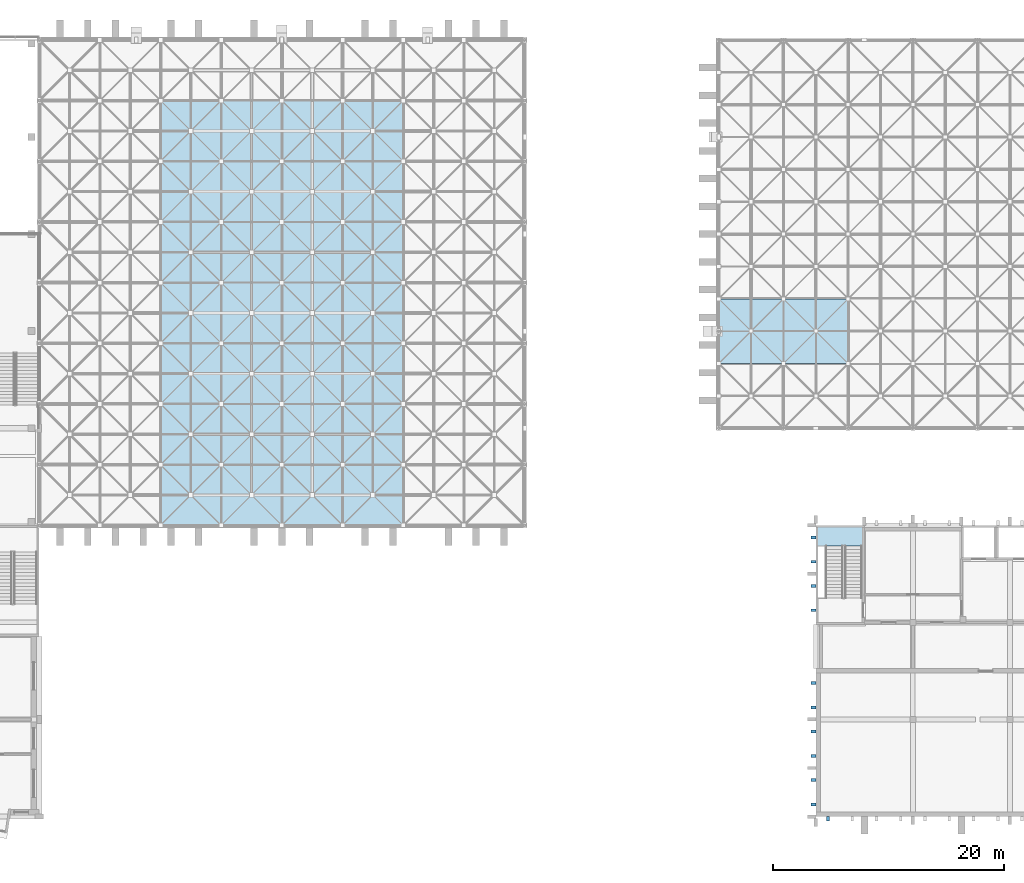
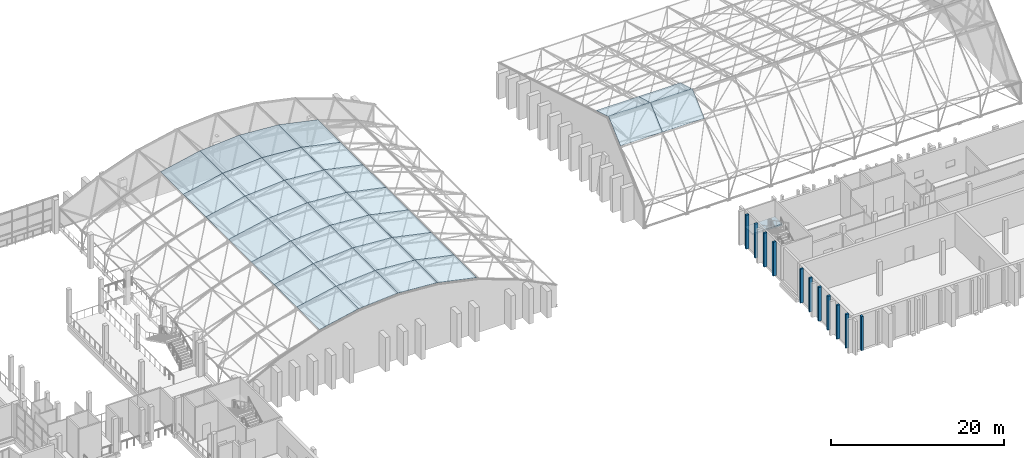
# One storey, part 53 of 100: 43 plates, 1 slab, 1 element without a shape of its own.
"""IFC4 building model written with IfcOpenShell, lengths in metres."""

from ifc_helpers import new_model, si_unit, direction, frame, origin, origin_2d, place, context, subcontext, project, spatial, polyline, rectangle, outline, extrude, material, layer, layer_set, type_object, element, aggregate, save


model = new_model("IFC4")

# Units and contexts
model_context = context("Model", 3, precision=1e-05, world=origin(), true_north=direction((0.0, 1.0)))
body_context = subcontext(model_context, "Body", "Model", "MODEL_VIEW")
ifc_project = project(units=[si_unit("LENGTHUNIT", "METRE"), si_unit("AREAUNIT", "SQUARE_METRE"), si_unit("VOLUMEUNIT", "CUBIC_METRE"), si_unit("PLANEANGLEUNIT", "RADIAN"), si_unit("MASSUNIT", "GRAM", prefix="KILO")], contexts=[model_context])

# Site, building, storey
site_placement = place(None, origin())
site = spatial("IfcSite", under=ifc_project, at=site_placement, CompositionType="ELEMENT")
building_placement = place(site_placement, origin())
building = spatial("IfcBuilding", under=site, at=building_placement, Name="Kiln Court Media Centre", CompositionType="ELEMENT")
storey_placement = place(building_placement, frame((0.0, 0.0, 15.0)))
storey = spatial("IfcBuildingStorey", under=building, at=storey_placement, Name="L03", CompositionType="ELEMENT", Elevation=15.0)

# Plates
ifc_material_1 = material(Name="Concrete C40/50", Category="concrete")
ifc_layer_1 = layer(ifc_material_1, 0.25)
ifc_layer_set_1 = layer_set([ifc_layer_1], Name="Concrete C40/50 shading fin 250")
plate_type_1 = type_object("IfcPlateType", Name="Concrete C40/50 shading fin 250", PredefinedType="SHEET", material=ifc_layer_set_1)
plate_1_placement = place(storey_placement, frame((127.050048828125, -0.199951171875, 0.0), z_axis=(0.0, 0.0, 1.0), x_axis=(1.0, 0.0, 0.0)))
element("IfcPlate", 1, at=plate_1_placement, inside=storey, type_object=plate_type_1, Name="V5 S fin L03", PredefinedType="SHEET", context=body_context, shape_type="SweptSolid", body=[
    extrude(rectangle(XDim=0.25, YDim=0.39990234375, at=origin_2d()), origin(), (0.0, 0.0, 1.0), 4.800048828125),
])
for number, where, z_axis, x_axis, name in (
    (2, (125.800048828125, 1.050048828125, 0.0), (0.0, 0.0, 1.0), (1.0, 0.0, 0.0), "V5 W fin L03"),
    (3, (125.800048828125, 3.14990234375, 0.0), (0.0, 0.0, 1.0), (1.0, 0.0, 0.0), "V5 W fin L03"),
    (4, (125.800048828125, 5.25, 0.0), (0.0, 0.0, 1.0), (1.0, 0.0, 0.0), "V5 W fin L03"),
    (5, (125.800048828125, 7.35009765625, 0.0), (0.0, 0.0, 1.0), (1.0, 0.0, 0.0), "V5 W fin L03"),
    (6, (125.800048828125, 9.449951171875, 0.0), (0.0, 0.0, 1.0), (1.0, 0.0, 0.0), "V5 W fin L03"),
    (7, (125.800048828125, 11.550048828125, 0.0), (0.0, 0.0, 1.0), (1.0, 0.0, 0.0), "V5 W fin L03"),
    (8, (125.800048828125, 17.85009765625, 0.0), (0.0, 0.0, 1.0), (1.0, 0.0, 0.0), "V5 W fin L03"),
    (9, (125.800048828125, 19.949951171875, 0.0), (0.0, 0.0, 1.0), (1.0, 0.0, 0.0), "V5 W fin L03"),
    (10, (125.800048828125, 22.050048828125, 0.0), (0.0, 0.0, 1.0), (1.0, 0.0, 0.0), "V5 W fin L03"),
    (11, (125.800048828125, 24.14990234375, 0.0), (0.0, 0.0, 1.0), (1.0, 0.0, 0.0), "V5 W fin L03"),
):
    element("IfcPlate", number, at=place(storey_placement, frame(where, z_axis=z_axis, x_axis=x_axis)), inside=storey, type_object=plate_type_1, Name=name, PredefinedType="SHEET", context=body_context, shape_type="SweptSolid", body=[
        extrude(rectangle(XDim=0.39990234375, YDim=0.25, at=origin_2d()), origin(), (0.0, 0.0, 1.0), 4.800048828125),
    ])

# Stair, slab
ifc_material_2 = material(Name="Concrete C40/50", Category="concrete")
stair_type = type_object("IfcStairType", Name="Concrete C40/50 dog-leg stair 1500 wide, 150 riser", PredefinedType="HALF_TURN_STAIR", material=ifc_material_2)
stair_placement = place(storey_placement, origin())
stair = element("IfcStair", 12, at=stair_placement, inside=storey, type_object=stair_type, Name="ST-16 L03", PredefinedType="HALF_TURN_STAIR")
ifc_material_3 = material(Name="Concrete C40/50", Category="concrete")
ifc_layer_2 = layer(ifc_material_3, 0.199951171875)
ifc_layer_set_2 = layer_set([ifc_layer_2], Name="Concrete C40/50 stair landing 200")
slab_type = type_object("IfcSlabType", Name="Concrete C40/50 stair landing 200", PredefinedType="LANDING", material=ifc_layer_set_2)
slab_placement = place(storey_placement, frame((0.0, 0.0, 2.199951171875)))
slab = element("IfcSlab", 13, at=slab_placement, type_object=slab_type, Name="L03-ST-5007 landing 5007", PredefinedType="LANDING", context=body_context, shape_type="SweptSolid", body=[
    extrude(outline(polyline([(130.1201171875, 23.39990234375), (130.1201171875, 25.1201171875), (126.080078125, 25.1201171875), (126.080078125, 23.39990234375), (130.1201171875, 23.39990234375)])), origin(), (0.0, 0.0, 1.0), 0.199951171875),
])
aggregate(stair, [slab])

# Plates
ifc_material_4 = material(Name="Laminated glass", Category="glass")
ifc_layer_3 = layer(ifc_material_4, 0.0439453125)
ifc_layer_set_3 = layer_set([ifc_layer_3], Name="Laminated glass rooflight 44")
plate_type_2 = type_object("IfcPlateType", Name="Laminated glass rooflight 44", PredefinedType="USERDEFINED", material=ifc_layer_set_3)
for number, where, z_axis, x_axis, name in (
    (14, (69.300048828125, 25.199951171875, 7.669921875), (-0.209529088731, 0.0, 0.977802414077), (0.977802414077, 0.0, 0.209529088731), "V1 rooflight 3.1"),
    (15, (69.300048828125, 30.449951171875, 7.669921875), (-0.209529088731, 0.0, 0.977802414077), (0.977802414077, 0.0, 0.209529088731), "V1 rooflight 3.2"),
    (16, (69.300048828125, 35.699951171875, 7.669921875), (-0.209529088731, 0.0, 0.977802414077), (0.977802414077, 0.0, 0.209529088731), "V1 rooflight 3.3"),
    (17, (69.300048828125, 40.949951171875, 7.669921875), (-0.209529088731, 0.0, 0.977802414077), (0.977802414077, 0.0, 0.209529088731), "V1 rooflight 3.4"),
    (18, (69.300048828125, 46.199951171875, 7.669921875), (-0.209529088731, 0.0, 0.977802414077), (0.977802414077, 0.0, 0.209529088731), "V1 rooflight 3.5"),
    (19, (69.300048828125, 51.449951171875, 7.669921875), (-0.209529088731, 0.0, 0.977802414077), (0.977802414077, 0.0, 0.209529088731), "V1 rooflight 3.6"),
    (20, (69.300048828125, 56.699951171875, 7.669921875), (-0.209529088731, 0.0, 0.977802414077), (0.977802414077, 0.0, 0.209529088731), "V1 rooflight 3.7"),
):
    element("IfcPlate", number, at=place(storey_placement, frame(where, z_axis=z_axis, x_axis=x_axis)), inside=storey, type_object=plate_type_2, Name=name, ObjectType="ROOFLIGHT GLAZING", PredefinedType="USERDEFINED", context=body_context, shape_type="SweptSolid", body=[
        extrude(outline(polyline([(0.0, 0.0), (5.369182898728632, 0.0), (5.369182898728632, 5.25), (0.0, 5.25), (0.0, 0.0)])), origin(), (0.0, 0.0, -1.0), 0.0439453125),
    ])
for number, where, z_axis, x_axis, name in (
    (21, (74.550048828125, 25.199951171875, 8.791748046875), (-0.071247049988, 0.0, 0.997458699831), (0.997458699831, 0.0, 0.071247049988), "V1 rooflight 4.1"),
    (22, (74.550048828125, 30.449951171875, 8.791748046875), (-0.071247049988, 0.0, 0.997458699831), (0.997458699831, 0.0, 0.071247049988), "V1 rooflight 4.2"),
    (23, (74.550048828125, 35.699951171875, 8.791748046875), (-0.071247049988, 0.0, 0.997458699831), (0.997458699831, 0.0, 0.071247049988), "V1 rooflight 4.3"),
    (24, (74.550048828125, 40.949951171875, 8.791748046875), (-0.071247049988, 0.0, 0.997458699831), (0.997458699831, 0.0, 0.071247049988), "V1 rooflight 4.4"),
    (25, (74.550048828125, 46.199951171875, 8.791748046875), (-0.071247049988, 0.0, 0.997458699831), (0.997458699831, 0.0, 0.071247049988), "V1 rooflight 4.5"),
    (26, (74.550048828125, 51.449951171875, 8.791748046875), (-0.071247049988, 0.0, 0.997458699831), (0.997458699831, 0.0, 0.071247049988), "V1 rooflight 4.6"),
    (27, (74.550048828125, 56.699951171875, 8.791748046875), (-0.071247049988, 0.0, 0.997458699831), (0.997458699831, 0.0, 0.071247049988), "V1 rooflight 4.7"),
    (28, (79.800048828125, 25.199951171875, 9.166748046875), (0.071247049988, 0.0, 0.997458699831), (0.997458699831, 0.0, -0.071247049988), "V1 rooflight 5.1"),
    (29, (79.800048828125, 30.449951171875, 9.166748046875), (0.071247049988, 0.0, 0.997458699831), (0.997458699831, 0.0, -0.071247049988), "V1 rooflight 5.2"),
    (30, (79.800048828125, 35.699951171875, 9.166748046875), (0.071247049988, 0.0, 0.997458699831), (0.997458699831, 0.0, -0.071247049988), "V1 rooflight 5.3"),
    (31, (79.800048828125, 40.949951171875, 9.166748046875), (0.071247049988, 0.0, 0.997458699831), (0.997458699831, 0.0, -0.071247049988), "V1 rooflight 5.4"),
    (32, (79.800048828125, 46.199951171875, 9.166748046875), (0.071247049988, 0.0, 0.997458699831), (0.997458699831, 0.0, -0.071247049988), "V1 rooflight 5.5"),
    (33, (79.800048828125, 51.449951171875, 9.166748046875), (0.071247049988, 0.0, 0.997458699831), (0.997458699831, 0.0, -0.071247049988), "V1 rooflight 5.6"),
    (34, (79.800048828125, 56.699951171875, 9.166748046875), (0.071247049988, 0.0, 0.997458699831), (0.997458699831, 0.0, -0.071247049988), "V1 rooflight 5.7"),
):
    element("IfcPlate", number, at=place(storey_placement, frame(where, z_axis=z_axis, x_axis=x_axis)), inside=storey, type_object=plate_type_2, Name=name, ObjectType="ROOFLIGHT GLAZING", PredefinedType="USERDEFINED", context=body_context, shape_type="SweptSolid", body=[
        extrude(outline(polyline([(0.0, 0.0), (5.263375817856825, 0.0), (5.263375817856825, 5.25), (0.0, 5.25), (0.0, 0.0)])), origin(), (0.0, 0.0, -1.0), 0.0439453125),
    ])
for number, where, z_axis, x_axis, name in (
    (35, (85.050048828125, 25.199951171875, 8.794921875), (0.209529088731, 0.0, 0.977802414077), (0.977802414077, 0.0, -0.209529088731), "V1 rooflight 6.1"),
    (36, (85.050048828125, 30.449951171875, 8.794921875), (0.209529088731, 0.0, 0.977802414077), (0.977802414077, 0.0, -0.209529088731), "V1 rooflight 6.2"),
    (37, (85.050048828125, 35.699951171875, 8.794921875), (0.209529088731, 0.0, 0.977802414077), (0.977802414077, 0.0, -0.209529088731), "V1 rooflight 6.3"),
    (38, (85.050048828125, 40.949951171875, 8.794921875), (0.209529088731, 0.0, 0.977802414077), (0.977802414077, 0.0, -0.209529088731), "V1 rooflight 6.4"),
    (39, (85.050048828125, 46.199951171875, 8.794921875), (0.209529088731, 0.0, 0.977802414077), (0.977802414077, 0.0, -0.209529088731), "V1 rooflight 6.5"),
    (40, (85.050048828125, 51.449951171875, 8.794921875), (0.209529088731, 0.0, 0.977802414077), (0.977802414077, 0.0, -0.209529088731), "V1 rooflight 6.6"),
    (41, (85.050048828125, 56.699951171875, 8.794921875), (0.209529088731, 0.0, 0.977802414077), (0.977802414077, 0.0, -0.209529088731), "V1 rooflight 6.7"),
):
    element("IfcPlate", number, at=place(storey_placement, frame(where, z_axis=z_axis, x_axis=x_axis)), inside=storey, type_object=plate_type_2, Name=name, ObjectType="ROOFLIGHT GLAZING", PredefinedType="USERDEFINED", context=body_context, shape_type="SweptSolid", body=[
        extrude(outline(polyline([(0.0, 0.0), (5.369182898728632, 0.0), (5.369182898728632, 5.25), (0.0, 5.25), (0.0, 0.0)])), origin(), (0.0, 0.0, -1.0), 0.0439453125),
    ])
plate_2_placement = place(storey_placement, frame((117.60009765625, 39.199951171875, 8.205810546875), z_axis=(0.0, -0.666009306831, 0.745943431645), x_axis=(0.0, 0.745943431645, 0.666009306831)))
element("IfcPlate", 42, at=plate_2_placement, inside=storey, type_object=plate_type_2, Name="V2 rooflight 2.1", ObjectType="ROOFLIGHT GLAZING", PredefinedType="USERDEFINED", context=body_context, shape_type="SweptSolid", body=[
    extrude(outline(polyline([(0.0, 0.0), (3.7537012987029463, 0.0), (3.7537012987029463, -5.599853515624999), (0.0, -5.599853515624999), (0.0, 0.0)])), origin(), (0.0, 0.0, -1.0), 0.0439453125),
])
plate_3_placement = place(storey_placement, frame((123.199951171875, 39.199951171875, 8.188720703125), z_axis=(0.0, -0.666009306831, 0.745943431645), x_axis=(0.0, 0.745943431645, 0.666009306831)))
element("IfcPlate", 43, at=plate_3_placement, inside=storey, type_object=plate_type_2, Name="V2 rooflight 2.2", ObjectType="ROOFLIGHT GLAZING", PredefinedType="USERDEFINED", context=body_context, shape_type="SweptSolid", body=[
    extrude(outline(polyline([(0.0, 0.0), (3.7537012987029463, 0.0), (3.7537012987029463, -5.600097656249999), (0.0, -5.600097656249999), (0.0, 0.0)])), origin(), (0.0, 0.0, -1.0), 0.0439453125),
])
plate_4_placement = place(storey_placement, frame((117.60009765625, 42.0, 10.66015625), z_axis=(0.0, 0.285223435116, 0.958461054013), x_axis=(0.0, 0.958461054013, -0.285223435116)))
element("IfcPlate", 44, at=plate_4_placement, inside=storey, type_object=plate_type_2, Name="V2 rooflight 3.1", ObjectType="ROOFLIGHT GLAZING", PredefinedType="USERDEFINED", context=body_context, shape_type="SweptSolid", body=[
    extrude(outline(polyline([(0.0, 0.0), (2.9214007354813227, 0.0), (2.9214007354813227, -5.599853515625), (0.0, -5.599853515625), (0.0, 0.0)])), origin(), (0.0, 0.0, -1.0), 0.0439453125),
])
plate_5_placement = place(storey_placement, frame((123.199951171875, 42.0, 10.64697265625), z_axis=(0.0, 0.285223435116, 0.958461054013), x_axis=(0.0, 0.958461054013, -0.285223435116)))
element("IfcPlate", 45, at=plate_5_placement, inside=storey, type_object=plate_type_2, Name="V2 rooflight 3.2", ObjectType="ROOFLIGHT GLAZING", PredefinedType="USERDEFINED", context=body_context, shape_type="SweptSolid", body=[
    extrude(outline(polyline([(0.0, 0.0), (2.9214007354813227, 0.0), (2.9214007354813227, -5.60009765625), (0.0, -5.60009765625), (0.0, 0.0)])), origin(), (0.0, 0.0, -1.0), 0.0439453125),
])

save(model, "model.ifc")
